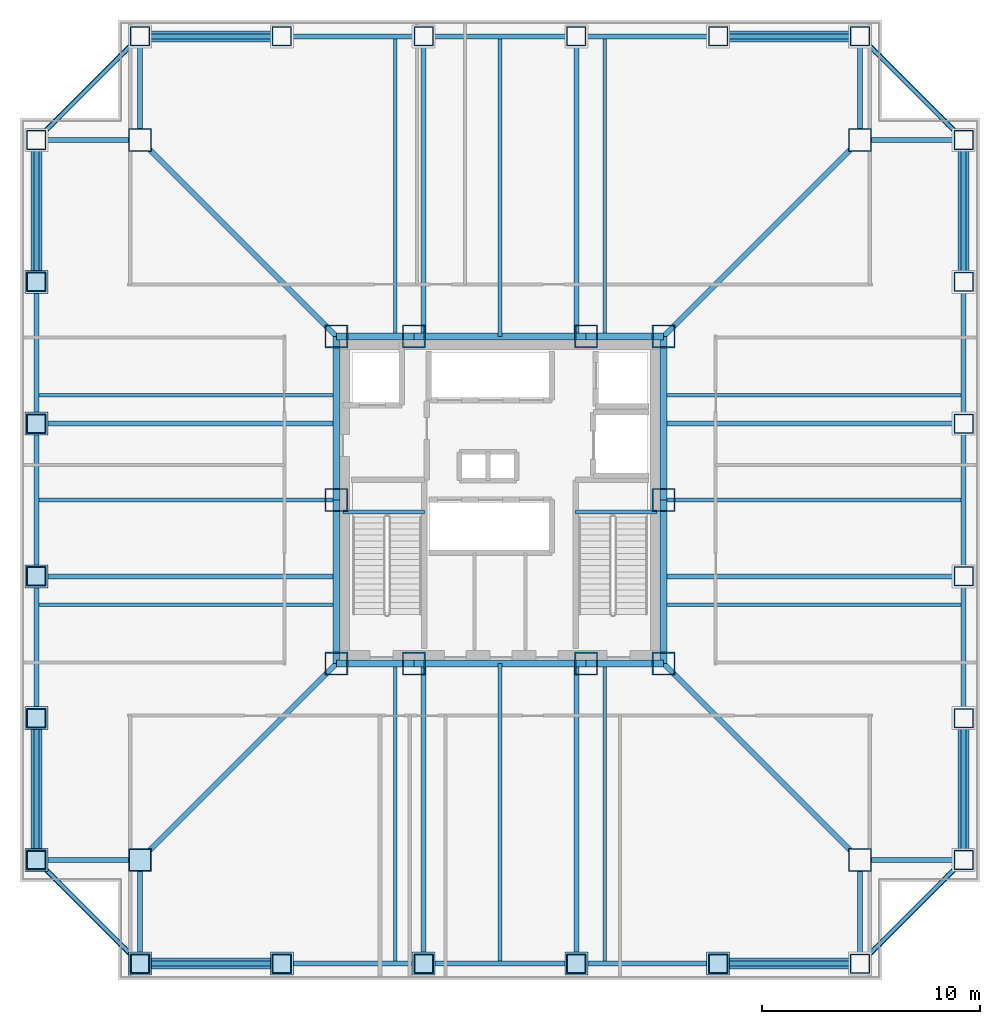
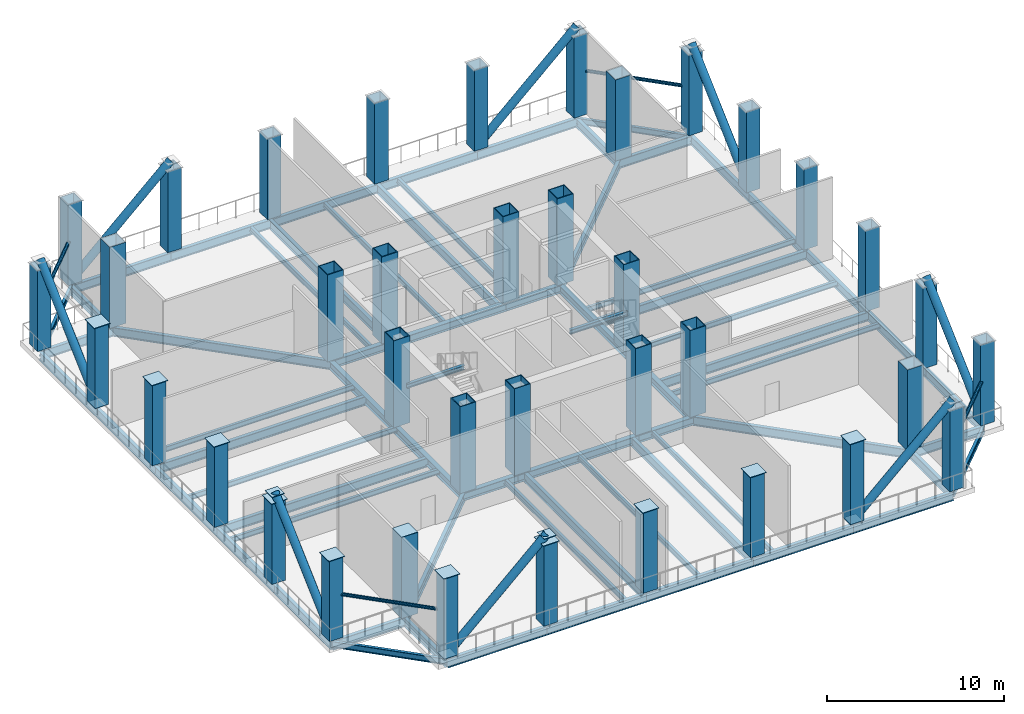
# One storey, part 1 of 7: 68 beams, 38 columns, 17 plates, 12 members.
"""IFC4 building model written with IfcOpenShell, lengths in metres."""

from ifc_helpers import new_model, si_unit, direction, frame, origin, origin_2d, place, context, subcontext, project, spatial, rectangle, hollow_rectangle, hollow_circle, i_section, extrude, material, layer, layer_set, material_profile, profile_set, type_object, element, save


model = new_model("IFC4")

# Units and contexts
model_context = context("Model", 3, precision=1e-05, world=origin(), true_north=direction((0.0, 1.0)))
body_context = subcontext(model_context, "Body", "Model", "MODEL_VIEW")
ifc_project = project(units=[si_unit("LENGTHUNIT", "METRE"), si_unit("AREAUNIT", "SQUARE_METRE"), si_unit("VOLUMEUNIT", "CUBIC_METRE"), si_unit("PLANEANGLEUNIT", "RADIAN"), si_unit("MASSUNIT", "GRAM", prefix="KILO")], contexts=[model_context])

# Site, building, storey
site_placement = place(None, origin())
site = spatial("IfcSite", under=ifc_project, at=site_placement, CompositionType="ELEMENT")
building_placement = place(site_placement, origin())
building = spatial("IfcBuilding", under=site, at=building_placement, Name="Trevonay Congress Spire", CompositionType="ELEMENT")
storey_placement = place(building_placement, frame((0.0, 0.0, 160.199951171875)))
storey = spatial("IfcBuildingStorey", under=building, at=storey_placement, Name="L41", CompositionType="ELEMENT", Elevation=160.199951171875)

# Columns
ifc_material_1 = material(Name="Steel ASTM A572 Grade 50", Category="steel")
ifc_material_profile_1 = material_profile(ifc_material_1, hollow_rectangle(XDim=1.050048828125, YDim=1.050048828125, WallThickness=0.050048828125, at=origin_2d()), Name="BOX 1050x1050x50")
ifc_profile_set_1 = profile_set([ifc_material_profile_1], Name="Steel ASTM A572 Grade 50")
column_type_1 = type_object("IfcColumnType", Name="COL-CORE-BOX1050", PredefinedType="COLUMN", material=ifc_profile_set_1)
for number, where, z_axis, x_axis, name in (
    (1, (-7.5, -7.5, 0.0), (0.0, 0.0, 1.0), (1.0, 0.0, 0.0), "L41 column C03 at CC-SW"),
    (2, (-3.949951171875, -7.5, 0.0), (0.0, 0.0, 1.0), (1.0, 0.0, 0.0), "L41 column C03 at CC-SMW"),
    (3, (3.949951171875, -7.5, 0.0), (0.0, 0.0, 1.0), (1.0, 0.0, 0.0), "L41 column C03 at CC-SME"),
    (4, (7.5, -7.5, 0.0), (0.0, 0.0, 1.0), (1.0, 0.0, 0.0), "L41 column C03 at CC-SE"),
    (5, (7.5, 0.0, 0.0), (0.0, 0.0, 1.0), (1.0, 0.0, 0.0), "L41 column C03 at CC-E"),
    (6, (7.5, 7.5, 0.0), (0.0, 0.0, 1.0), (1.0, 0.0, 0.0), "L41 column C03 at CC-NE"),
    (7, (3.949951171875, 7.5, 0.0), (0.0, 0.0, 1.0), (1.0, 0.0, 0.0), "L41 column C03 at CC-NME"),
    (8, (-3.949951171875, 7.5, 0.0), (0.0, 0.0, 1.0), (1.0, 0.0, 0.0), "L41 column C03 at CC-NMW"),
    (9, (-7.5, 7.5, 0.0), (0.0, 0.0, 1.0), (1.0, 0.0, 0.0), "L41 column C03 at CC-NW"),
    (10, (-7.5, 0.0, 0.0), (0.0, 0.0, 1.0), (1.0, 0.0, 0.0), "L41 column C03 at CC-W"),
):
    element("IfcColumn", number, at=place(storey_placement, frame(where, z_axis=z_axis, x_axis=x_axis)), inside=storey, type_object=column_type_1, Name=name, PredefinedType="COLUMN", context=body_context, shape_type="SweptSolid", body=[
        extrude(hollow_rectangle(XDim=1.050048828125, YDim=1.050048828125, WallThickness=0.050048828125, at=origin_2d()), origin(), (0.0, 0.0, 1.0), 6.0),
    ])
ifc_material_profile_2 = material_profile(ifc_material_1, hollow_rectangle(XDim=1.050048828125, YDim=1.050048828125, WallThickness=0.050048828125, at=origin_2d()), Name="BOX 1050x1050x50")
ifc_profile_set_2 = profile_set([ifc_material_profile_2], Name="Steel ASTM A572 Grade 50")
column_type_2 = type_object("IfcColumnType", Name="COL-TUBE-BOX1050", PredefinedType="COLUMN", material=ifc_profile_set_2)
for number, where, z_axis, x_axis, name in (
    (11, (-16.5, -16.5, 0.0), (0.0, 0.0, 1.0), (1.0, 0.0, 0.0), "L41 column C14 at NC-SW"),
    (12, (16.5, -16.5, 0.0), (0.0, 0.0, 1.0), (1.0, 0.0, 0.0), "L41 column C14 at NC-SE"),
    (13, (16.5, 16.5, 0.0), (0.0, 0.0, 1.0), (1.0, 0.0, 0.0), "L41 column C14 at NC-NE"),
    (14, (-16.5, 16.5, 0.0), (0.0, 0.0, 1.0), (1.0, 0.0, 0.0), "L41 column C14 at NC-NW"),
):
    element("IfcColumn", number, at=place(storey_placement, frame(where, z_axis=z_axis, x_axis=x_axis)), inside=storey, type_object=column_type_2, Name=name, PredefinedType="COLUMN", context=body_context, shape_type="SweptSolid", body=[
        extrude(hollow_rectangle(XDim=1.050048828125, YDim=1.050048828125, WallThickness=0.050048828125, at=origin_2d()), origin(), (0.0, 0.0, 1.0), 5.60009765625),
    ])
ifc_material_profile_3 = material_profile(ifc_material_1, hollow_rectangle(XDim=0.89990234375, YDim=0.89990234375, WallThickness=0.044921875, at=origin_2d()), Name="BOX 900x900x45")
ifc_profile_set_3 = profile_set([ifc_material_profile_3], Name="Steel ASTM A572 Grade 50")
column_type_3 = type_object("IfcColumnType", Name="COL-TUBE-BOX900", PredefinedType="COLUMN", material=ifc_profile_set_3)
for number, where, z_axis, x_axis, name in (
    (15, (-16.5, -21.25, 0.0), (0.0, 0.0, 1.0), (1.0, 0.0, 0.0), "L41 column C15 at TS-1"),
    (16, (-16.5, 21.25, 0.0), (0.0, 0.0, 1.0), (1.0, 0.0, 0.0), "L41 column C15 at TN-1"),
    (17, (-21.25, -16.5, 0.0), (0.0, 0.0, 1.0), (1.0, 0.0, 0.0), "L41 column C15 at TW-1"),
    (18, (21.25, -16.5, 0.0), (0.0, 0.0, 1.0), (1.0, 0.0, 0.0), "L41 column C15 at TE-1"),
    (19, (-10.0, -21.25, 0.0), (0.0, 0.0, 1.0), (1.0, 0.0, 0.0), "L41 column C15 at TS-2"),
    (20, (-10.0, 21.25, 0.0), (0.0, 0.0, 1.0), (1.0, 0.0, 0.0), "L41 column C15 at TN-2"),
    (21, (-21.25, -10.0, 0.0), (0.0, 0.0, 1.0), (1.0, 0.0, 0.0), "L41 column C15 at TW-2"),
    (22, (21.25, -10.0, 0.0), (0.0, 0.0, 1.0), (1.0, 0.0, 0.0), "L41 column C15 at TE-2"),
    (23, (-3.5, -21.25, 0.0), (0.0, 0.0, 1.0), (1.0, 0.0, 0.0), "L41 column C15 at TS-3"),
    (24, (-3.5, 21.25, 0.0), (0.0, 0.0, 1.0), (1.0, 0.0, 0.0), "L41 column C15 at TN-3"),
    (25, (-21.25, -3.5, 0.0), (0.0, 0.0, 1.0), (1.0, 0.0, 0.0), "L41 column C15 at TW-3"),
    (26, (21.25, -3.5, 0.0), (0.0, 0.0, 1.0), (1.0, 0.0, 0.0), "L41 column C15 at TE-3"),
    (27, (3.5, -21.25, 0.0), (0.0, 0.0, 1.0), (1.0, 0.0, 0.0), "L41 column C15 at TS-4"),
    (28, (3.5, 21.25, 0.0), (0.0, 0.0, 1.0), (1.0, 0.0, 0.0), "L41 column C15 at TN-4"),
    (29, (-21.25, 3.5, 0.0), (0.0, 0.0, 1.0), (1.0, 0.0, 0.0), "L41 column C15 at TW-4"),
    (30, (21.25, 3.5, 0.0), (0.0, 0.0, 1.0), (1.0, 0.0, 0.0), "L41 column C15 at TE-4"),
    (31, (10.0, -21.25, 0.0), (0.0, 0.0, 1.0), (1.0, 0.0, 0.0), "L41 column C15 at TS-5"),
    (32, (10.0, 21.25, 0.0), (0.0, 0.0, 1.0), (1.0, 0.0, 0.0), "L41 column C15 at TN-5"),
    (33, (-21.25, 10.0, 0.0), (0.0, 0.0, 1.0), (1.0, 0.0, 0.0), "L41 column C15 at TW-5"),
    (34, (21.25, 10.0, 0.0), (0.0, 0.0, 1.0), (1.0, 0.0, 0.0), "L41 column C15 at TE-5"),
    (35, (16.5, -21.25, 0.0), (0.0, 0.0, 1.0), (1.0, 0.0, 0.0), "L41 column C15 at TS-6"),
    (36, (16.5, 21.25, 0.0), (0.0, 0.0, 1.0), (1.0, 0.0, 0.0), "L41 column C15 at TN-6"),
    (37, (-21.25, 16.5, 0.0), (0.0, 0.0, 1.0), (1.0, 0.0, 0.0), "L41 column C15 at TW-6"),
    (38, (21.25, 16.5, 0.0), (0.0, 0.0, 1.0), (1.0, 0.0, 0.0), "L41 column C15 at TE-6"),
):
    element("IfcColumn", number, at=place(storey_placement, frame(where, z_axis=z_axis, x_axis=x_axis)), inside=storey, type_object=column_type_3, Name=name, PredefinedType="COLUMN", context=body_context, shape_type="SweptSolid", body=[
        extrude(hollow_rectangle(XDim=0.89990234375, YDim=0.89990234375, WallThickness=0.044921875, at=origin_2d()), origin(), (0.0, 0.0, 1.0), 5.60009765625),
    ])

# Beams
ifc_material_profile_4 = material_profile(ifc_material_1, i_section(OverallWidth=0.31201171875, OverallDepth=0.54296875, WebThickness=0.0126953125, FlangeThickness=0.020263671875, FilletRadius=0.014892578125, at=origin_2d()), Name="W530x150")
ifc_profile_set_4 = profile_set([ifc_material_profile_4], Name="Steel ASTM A572 Grade 50")
beam_type_1 = type_object("IfcBeamType", Name="BM-GIRD-W530X150", PredefinedType="BEAM", material=ifc_profile_set_4)
beam_1_placement = place(storey_placement, frame((-7.5, -7.5, -0.621337890625), z_axis=(1.0, 0.0, 0.0), x_axis=(0.0, 1.0, 0.0)))
element("IfcBeam", 39, at=beam_1_placement, inside=storey, type_object=beam_type_1, Name="L41 structural beam BM-L41-CR-S1", PredefinedType="BEAM", context=body_context, shape_type="SweptSolid", body=[
    extrude(i_section(OverallWidth=0.31201171875, OverallDepth=0.54296875, WebThickness=0.0126953125, FlangeThickness=0.020263671875, FilletRadius=0.014892578125, at=origin_2d()), origin(), (0.0, 0.0, 1.0), 3.550048828125),
])
beam_2_placement = place(storey_placement, frame((-3.949951171875, -7.5, -0.621337890625), z_axis=(1.0, 0.0, 0.0), x_axis=(0.0, 1.0, 0.0)))
element("IfcBeam", 40, at=beam_2_placement, inside=storey, type_object=beam_type_1, Name="L41 structural beam BM-L41-CR-S2", PredefinedType="BEAM", context=body_context, shape_type="SweptSolid", body=[
    extrude(i_section(OverallWidth=0.31201171875, OverallDepth=0.54296875, WebThickness=0.0126953125, FlangeThickness=0.020263671875, FilletRadius=0.014892578125, at=origin_2d()), origin(), (0.0, 0.0, 1.0), 7.89990234375),
])
for number, where, z_axis, x_axis, name in (
    (41, (3.949951171875, -7.5, -0.621337890625), (1.0, 0.0, 0.0), (0.0, 1.0, 0.0), "L41 structural beam BM-L41-CR-S3"),
    (42, (-7.5, 7.5, -0.621337890625), (1.0, 0.0, 0.0), (0.0, 1.0, 0.0), "L41 structural beam BM-L41-CR-N1"),
):
    element("IfcBeam", number, at=place(storey_placement, frame(where, z_axis=z_axis, x_axis=x_axis)), inside=storey, type_object=beam_type_1, Name=name, PredefinedType="BEAM", context=body_context, shape_type="SweptSolid", body=[
        extrude(i_section(OverallWidth=0.31201171875, OverallDepth=0.54296875, WebThickness=0.0126953125, FlangeThickness=0.020263671875, FilletRadius=0.014892578125, at=origin_2d()), origin(), (0.0, 0.0, 1.0), 3.550048828125),
    ])
beam_3_placement = place(storey_placement, frame((-3.949951171875, 7.5, -0.621337890625), z_axis=(1.0, 0.0, 0.0), x_axis=(0.0, 1.0, 0.0)))
element("IfcBeam", 43, at=beam_3_placement, inside=storey, type_object=beam_type_1, Name="L41 structural beam BM-L41-CR-N2", PredefinedType="BEAM", context=body_context, shape_type="SweptSolid", body=[
    extrude(i_section(OverallWidth=0.31201171875, OverallDepth=0.54296875, WebThickness=0.0126953125, FlangeThickness=0.020263671875, FilletRadius=0.014892578125, at=origin_2d()), origin(), (0.0, 0.0, 1.0), 7.89990234375),
])
beam_4_placement = place(storey_placement, frame((3.949951171875, 7.5, -0.621337890625), z_axis=(1.0, 0.0, 0.0), x_axis=(0.0, 1.0, 0.0)))
element("IfcBeam", 44, at=beam_4_placement, inside=storey, type_object=beam_type_1, Name="L41 structural beam BM-L41-CR-N3", PredefinedType="BEAM", context=body_context, shape_type="SweptSolid", body=[
    extrude(i_section(OverallWidth=0.31201171875, OverallDepth=0.54296875, WebThickness=0.0126953125, FlangeThickness=0.020263671875, FilletRadius=0.014892578125, at=origin_2d()), origin(), (0.0, 0.0, 1.0), 3.550048828125),
])
for number, where, z_axis, x_axis, name in (
    (45, (-7.5, -7.5, -0.621337890625), (0.0, 1.0, 0.0), (-1.0, 0.0, 0.0), "L41 structural beam BM-L41-CR-W1"),
    (46, (-7.5, 0.0, -0.621337890625), (0.0, 1.0, 0.0), (-1.0, 0.0, 0.0), "L41 structural beam BM-L41-CR-W2"),
    (47, (7.5, -7.5, -0.621337890625), (0.0, 1.0, 0.0), (-1.0, 0.0, 0.0), "L41 structural beam BM-L41-CR-E1"),
    (48, (7.5, 0.0, -0.621337890625), (0.0, 1.0, 0.0), (-1.0, 0.0, 0.0), "L41 structural beam BM-L41-CR-E2"),
):
    element("IfcBeam", number, at=place(storey_placement, frame(where, z_axis=z_axis, x_axis=x_axis)), inside=storey, type_object=beam_type_1, Name=name, PredefinedType="BEAM", context=body_context, shape_type="SweptSolid", body=[
        extrude(i_section(OverallWidth=0.31201171875, OverallDepth=0.54296875, WebThickness=0.0126953125, FlangeThickness=0.020263671875, FilletRadius=0.014892578125, at=origin_2d()), origin(), (0.0, 0.0, 1.0), 7.5),
    ])
ifc_material_profile_5 = material_profile(ifc_material_1, i_section(OverallWidth=0.22998046875, OverallDepth=0.616943359375, WebThickness=0.01318359375, FlangeThickness=0.022216796875, FilletRadius=0.01611328125, at=origin_2d()), Name="W610x140")
ifc_profile_set_5 = profile_set([ifc_material_profile_5], Name="Steel ASTM A572 Grade 50")
beam_type_2 = type_object("IfcBeamType", Name="BM-GIRD-W610X140", PredefinedType="BEAM", material=ifc_profile_set_5)
for number, where, z_axis, x_axis, name in (
    (49, (-7.5, -7.5, -0.658447265625), (-0.707106781187, -0.707106781187, 0.0), (0.707106781187, -0.707106781187, 0.0), "L41 structural beam BM-L41-CDSW"),
    (50, (7.5, -7.5, -0.658447265625), (0.707106781187, -0.707106781187, 0.0), (0.707106781187, 0.707106781187, 0.0), "L41 structural beam BM-L41-CDSE"),
    (51, (7.5, 7.5, -0.658447265625), (0.707106781187, 0.707106781187, 0.0), (-0.707106781187, 0.707106781187, 0.0), "L41 structural beam BM-L41-CDNE"),
    (52, (-7.5, 7.5, -0.658447265625), (-0.707106781187, 0.707106781187, 0.0), (-0.707106781187, -0.707106781187, 0.0), "L41 structural beam BM-L41-CDNW"),
):
    element("IfcBeam", number, at=place(storey_placement, frame(where, z_axis=z_axis, x_axis=x_axis)), inside=storey, type_object=beam_type_2, Name=name, PredefinedType="BEAM", context=body_context, shape_type="SweptSolid", body=[
        extrude(i_section(OverallWidth=0.22998046875, OverallDepth=0.616943359375, WebThickness=0.01318359375, FlangeThickness=0.022216796875, FilletRadius=0.01611328125, at=origin_2d()), origin(), (0.0, 0.0, 1.0), 12.72802734375),
    ])
for number, where, z_axis, x_axis, name in (
    (53, (-3.5, -7.5, -0.658447265625), (0.0, -1.0, 0.0), (1.0, 0.0, 0.0), "L41 structural beam BM-L41-GS-M"),
    (54, (-3.5, 7.5, -0.658447265625), (0.0, 1.0, 0.0), (-1.0, 0.0, 0.0), "L41 structural beam BM-L41-GN-M"),
    (55, (-7.5, -3.5, -0.658447265625), (-1.0, 0.0, 0.0), (0.0, -1.0, 0.0), "L41 structural beam BM-L41-GW-M"),
    (56, (7.5, -3.5, -0.658447265625), (1.0, 0.0, 0.0), (0.0, 1.0, 0.0), "L41 structural beam BM-L41-GE-M"),
    (57, (3.5, -7.5, -0.658447265625), (0.0, -1.0, 0.0), (1.0, 0.0, 0.0), "L41 structural beam BM-L41-GS-P"),
    (58, (3.5, 7.5, -0.658447265625), (0.0, 1.0, 0.0), (-1.0, 0.0, 0.0), "L41 structural beam BM-L41-GN-P"),
    (59, (-7.5, 3.5, -0.658447265625), (-1.0, 0.0, 0.0), (0.0, -1.0, 0.0), "L41 structural beam BM-L41-GW-P"),
    (60, (7.5, 3.5, -0.658447265625), (1.0, 0.0, 0.0), (0.0, 1.0, 0.0), "L41 structural beam BM-L41-GE-P"),
):
    element("IfcBeam", number, at=place(storey_placement, frame(where, z_axis=z_axis, x_axis=x_axis)), inside=storey, type_object=beam_type_2, Name=name, PredefinedType="BEAM", context=body_context, shape_type="SweptSolid", body=[
        extrude(i_section(OverallWidth=0.22998046875, OverallDepth=0.616943359375, WebThickness=0.01318359375, FlangeThickness=0.022216796875, FilletRadius=0.01611328125, at=origin_2d()), origin(), (0.0, 0.0, 1.0), 13.75),
    ])
ifc_material_profile_6 = material_profile(ifc_material_1, i_section(OverallWidth=0.22802734375, OverallDepth=0.60791015625, WebThickness=0.01123046875, FlangeThickness=0.017333984375, FilletRadius=0.01611328125, at=origin_2d()), Name="W610x113")
ifc_profile_set_6 = profile_set([ifc_material_profile_6], Name="Steel ASTM A572 Grade 50")
beam_type_3 = type_object("IfcBeamType", Name="BM-RING-W610X113", PredefinedType="BEAM", material=ifc_profile_set_6)
for number, where, z_axis, x_axis, name in (
    (61, (-16.5, -21.25, -0.654052734375), (1.0, 0.0, 0.0), (0.0, 1.0, 0.0), "L41 structural beam BM-L41-PS1"),
    (62, (-16.5, 21.25, -0.654052734375), (1.0, 0.0, 0.0), (0.0, 1.0, 0.0), "L41 structural beam BM-L41-PN1"),
    (63, (-21.25, -16.5, -0.654052734375), (0.0, 1.0, 0.0), (-1.0, 0.0, 0.0), "L41 structural beam BM-L41-PW1"),
    (64, (21.25, -16.5, -0.654052734375), (0.0, 1.0, 0.0), (-1.0, 0.0, 0.0), "L41 structural beam BM-L41-PE1"),
    (65, (-10.0, -21.25, -0.654052734375), (1.0, 0.0, 0.0), (0.0, 1.0, 0.0), "L41 structural beam BM-L41-PS2"),
    (66, (-10.0, 21.25, -0.654052734375), (1.0, 0.0, 0.0), (0.0, 1.0, 0.0), "L41 structural beam BM-L41-PN2"),
    (67, (-21.25, -10.0, -0.654052734375), (0.0, 1.0, 0.0), (-1.0, 0.0, 0.0), "L41 structural beam BM-L41-PW2"),
    (68, (21.25, -10.0, -0.654052734375), (0.0, 1.0, 0.0), (-1.0, 0.0, 0.0), "L41 structural beam BM-L41-PE2"),
):
    element("IfcBeam", number, at=place(storey_placement, frame(where, z_axis=z_axis, x_axis=x_axis)), inside=storey, type_object=beam_type_3, Name=name, PredefinedType="BEAM", context=body_context, shape_type="SweptSolid", body=[
        extrude(i_section(OverallWidth=0.22802734375, OverallDepth=0.60791015625, WebThickness=0.01123046875, FlangeThickness=0.017333984375, FilletRadius=0.01611328125, at=origin_2d()), origin(), (0.0, 0.0, 1.0), 6.5),
    ])
for number, where, z_axis, x_axis, name in (
    (69, (-3.5, -21.25, -0.654052734375), (1.0, 0.0, 0.0), (0.0, 1.0, 0.0), "L41 structural beam BM-L41-PS3"),
    (70, (-3.5, 21.25, -0.654052734375), (1.0, 0.0, 0.0), (0.0, 1.0, 0.0), "L41 structural beam BM-L41-PN3"),
    (71, (-21.25, -3.5, -0.654052734375), (0.0, 1.0, 0.0), (-1.0, 0.0, 0.0), "L41 structural beam BM-L41-PW3"),
    (72, (21.25, -3.5, -0.654052734375), (0.0, 1.0, 0.0), (-1.0, 0.0, 0.0), "L41 structural beam BM-L41-PE3"),
):
    element("IfcBeam", number, at=place(storey_placement, frame(where, z_axis=z_axis, x_axis=x_axis)), inside=storey, type_object=beam_type_3, Name=name, PredefinedType="BEAM", context=body_context, shape_type="SweptSolid", body=[
        extrude(i_section(OverallWidth=0.22802734375, OverallDepth=0.60791015625, WebThickness=0.01123046875, FlangeThickness=0.017333984375, FilletRadius=0.01611328125, at=origin_2d()), origin(), (0.0, 0.0, 1.0), 7.0),
    ])
for number, where, z_axis, x_axis, name in (
    (73, (3.5, -21.25, -0.654052734375), (1.0, 0.0, 0.0), (0.0, 1.0, 0.0), "L41 structural beam BM-L41-PS4"),
    (74, (3.5, 21.25, -0.654052734375), (1.0, 0.0, 0.0), (0.0, 1.0, 0.0), "L41 structural beam BM-L41-PN4"),
    (75, (-21.25, 3.5, -0.654052734375), (0.0, 1.0, 0.0), (-1.0, 0.0, 0.0), "L41 structural beam BM-L41-PW4"),
    (76, (21.25, 3.5, -0.654052734375), (0.0, 1.0, 0.0), (-1.0, 0.0, 0.0), "L41 structural beam BM-L41-PE4"),
    (77, (10.0, -21.25, -0.654052734375), (1.0, 0.0, 0.0), (0.0, 1.0, 0.0), "L41 structural beam BM-L41-PS5"),
    (78, (10.0, 21.25, -0.654052734375), (1.0, 0.0, 0.0), (0.0, 1.0, 0.0), "L41 structural beam BM-L41-PN5"),
    (79, (-21.25, 10.0, -0.654052734375), (0.0, 1.0, 0.0), (-1.0, 0.0, 0.0), "L41 structural beam BM-L41-PW5"),
    (80, (21.25, 10.0, -0.654052734375), (0.0, 1.0, 0.0), (-1.0, 0.0, 0.0), "L41 structural beam BM-L41-PE5"),
):
    element("IfcBeam", number, at=place(storey_placement, frame(where, z_axis=z_axis, x_axis=x_axis)), inside=storey, type_object=beam_type_3, Name=name, PredefinedType="BEAM", context=body_context, shape_type="SweptSolid", body=[
        extrude(i_section(OverallWidth=0.22802734375, OverallDepth=0.60791015625, WebThickness=0.01123046875, FlangeThickness=0.017333984375, FilletRadius=0.01611328125, at=origin_2d()), origin(), (0.0, 0.0, 1.0), 6.5),
    ])
for number, where, z_axis, x_axis, name in (
    (81, (-16.5, -21.25, -0.654052734375), (0.0, 1.0, 0.0), (-1.0, 0.0, 0.0), "L41 structural beam BM-L41-N1SW"),
    (82, (-21.25, -16.5, -0.654052734375), (1.0, 0.0, 0.0), (0.0, 1.0, 0.0), "L41 structural beam BM-L41-N2SW"),
    (83, (16.5, -21.25, -0.654052734375), (0.0, 1.0, 0.0), (-1.0, 0.0, 0.0), "L41 structural beam BM-L41-N1SE"),
    (84, (21.25, -16.5, -0.654052734375), (-1.0, 0.0, 0.0), (0.0, -1.0, 0.0), "L41 structural beam BM-L41-N2SE"),
    (85, (16.5, 21.25, -0.654052734375), (0.0, -1.0, 0.0), (1.0, 0.0, 0.0), "L41 structural beam BM-L41-N1NE"),
    (86, (21.25, 16.5, -0.654052734375), (-1.0, 0.0, 0.0), (0.0, -1.0, 0.0), "L41 structural beam BM-L41-N2NE"),
    (87, (-16.5, 21.25, -0.654052734375), (0.0, -1.0, 0.0), (1.0, 0.0, 0.0), "L41 structural beam BM-L41-N1NW"),
    (88, (-21.25, 16.5, -0.654052734375), (1.0, 0.0, 0.0), (0.0, 1.0, 0.0), "L41 structural beam BM-L41-N2NW"),
):
    element("IfcBeam", number, at=place(storey_placement, frame(where, z_axis=z_axis, x_axis=x_axis)), inside=storey, type_object=beam_type_3, Name=name, PredefinedType="BEAM", context=body_context, shape_type="SweptSolid", body=[
        extrude(i_section(OverallWidth=0.22802734375, OverallDepth=0.60791015625, WebThickness=0.01123046875, FlangeThickness=0.017333984375, FilletRadius=0.01611328125, at=origin_2d()), origin(), (0.0, 0.0, 1.0), 4.75),
    ])
ifc_material_profile_7 = material_profile(ifc_material_1, i_section(OverallWidth=0.172119140625, OverallDepth=0.35791015625, WebThickness=0.0078125, FlangeThickness=0.01318359375, FilletRadius=0.011962890625, at=origin_2d()), Name="W360x57.8")
ifc_profile_set_7 = profile_set([ifc_material_profile_7], Name="Steel ASTM A572 Grade 50")
beam_type_4 = type_object("IfcBeamType", Name="JS-COMP-W360X57", PredefinedType="JOIST", material=ifc_profile_set_7)
for number, where, z_axis, x_axis, name in (
    (89, (-4.800048828125, -21.25, -0.529052734375), (0.0, 1.0, 0.0), (-1.0, 0.0, 0.0), "L41 structural beam JS-L41-NS-S1"),
    (90, (-4.800048828125, 7.5, -0.529052734375), (0.0, 1.0, 0.0), (-1.0, 0.0, 0.0), "L41 structural beam JS-L41-NS-N1"),
    (91, (-21.25, -4.800048828125, -0.529052734375), (1.0, 0.0, 0.0), (0.0, 1.0, 0.0), "L41 structural beam JS-L41-EW-W1"),
    (92, (7.5, -4.800048828125, -0.529052734375), (1.0, 0.0, 0.0), (0.0, 1.0, 0.0), "L41 structural beam JS-L41-EW-E1"),
    (93, (0.0, -21.25, -0.529052734375), (0.0, 1.0, 0.0), (-1.0, 0.0, 0.0), "L41 structural beam JS-L41-NS-S2"),
    (94, (0.0, 7.5, -0.529052734375), (0.0, 1.0, 0.0), (-1.0, 0.0, 0.0), "L41 structural beam JS-L41-NS-N2"),
    (95, (-21.25, 0.0, -0.529052734375), (1.0, 0.0, 0.0), (0.0, 1.0, 0.0), "L41 structural beam JS-L41-EW-W2"),
    (96, (7.5, 0.0, -0.529052734375), (1.0, 0.0, 0.0), (0.0, 1.0, 0.0), "L41 structural beam JS-L41-EW-E2"),
    (97, (4.800048828125, -21.25, -0.529052734375), (0.0, 1.0, 0.0), (-1.0, 0.0, 0.0), "L41 structural beam JS-L41-NS-S3"),
    (98, (4.800048828125, 7.5, -0.529052734375), (0.0, 1.0, 0.0), (-1.0, 0.0, 0.0), "L41 structural beam JS-L41-NS-N3"),
    (99, (-21.25, 4.800048828125, -0.529052734375), (1.0, 0.0, 0.0), (0.0, 1.0, 0.0), "L41 structural beam JS-L41-EW-W3"),
    (100, (7.5, 4.800048828125, -0.529052734375), (1.0, 0.0, 0.0), (0.0, 1.0, 0.0), "L41 structural beam JS-L41-EW-E3"),
):
    element("IfcBeam", number, at=place(storey_placement, frame(where, z_axis=z_axis, x_axis=x_axis)), inside=storey, type_object=beam_type_4, Name=name, PredefinedType="JOIST", context=body_context, shape_type="SweptSolid", body=[
        extrude(i_section(OverallWidth=0.172119140625, OverallDepth=0.35791015625, WebThickness=0.0078125, FlangeThickness=0.01318359375, FilletRadius=0.011962890625, at=origin_2d()), origin(), (0.0, 0.0, 1.0), 13.75),
    ])
ifc_material_profile_8 = material_profile(ifc_material_1, i_section(OverallWidth=0.2041015625, OverallDepth=0.305908203125, WebThickness=0.008544921875, FlangeThickness=0.0146484375, FilletRadius=0.010986328125, at=origin_2d()), Name="W310x67")
ifc_profile_set_8 = profile_set([ifc_material_profile_8], Name="Steel ASTM A572 Grade 50")
beam_type_5 = type_object("IfcBeamType", Name="LN-CORE-W310X67", PredefinedType="LINTEL", material=ifc_profile_set_8)
for number, where, z_axis, x_axis, name in (
    (101, (-7.199951171875, -0.550048828125, 2.64697265625), (1.0, 0.0, 0.0), (0.0, 1.0, 0.0), "L41 structural beam BM-L41-HL-ST1"),
    (102, (3.449951171875, -0.550048828125, 2.64697265625), (1.0, 0.0, 0.0), (0.0, 1.0, 0.0), "L41 structural beam BM-L41-HL-ST2"),
):
    element("IfcBeam", number, at=place(storey_placement, frame(where, z_axis=z_axis, x_axis=x_axis)), inside=storey, type_object=beam_type_5, Name=name, PredefinedType="LINTEL", context=body_context, shape_type="SweptSolid", body=[
        extrude(i_section(OverallWidth=0.2041015625, OverallDepth=0.305908203125, WebThickness=0.008544921875, FlangeThickness=0.0146484375, FilletRadius=0.010986328125, at=origin_2d()), origin(), (0.0, 0.0, 1.0), 3.75),
    ])

# Members
ifc_material_profile_9 = material_profile(ifc_material_1, hollow_circle(Radius=0.25390625, WallThickness=0.02490234375, at=origin_2d()), Name="CHS 508x25")
ifc_profile_set_9 = profile_set([ifc_material_profile_9], Name="Steel ASTM A572 Grade 50")
member_type_1 = type_object("IfcMemberType", Name="MBR-PORTAL-CHS508", PredefinedType="STRUT", material=ifc_profile_set_9)
for number, where, z_axis, x_axis, name in (
    (103, (-16.5, -21.25, -0.0400390625), (0.734803444627, 0.0, 0.678280102733), (0.0, 1.0, 0.0), "L41 wind portal diagonal strut S0"),
    (104, (10.0, -21.25, -0.0400390625), (0.734803444627, 0.0, 0.678280102733), (0.0, 1.0, 0.0), "L41 wind portal diagonal strut S4"),
    (105, (-16.5, 21.25, -0.0400390625), (0.734803444627, 0.0, 0.678280102733), (0.0, 1.0, 0.0), "L41 wind portal diagonal strut N0"),
    (106, (10.0, 21.25, -0.0400390625), (0.734803444627, 0.0, 0.678280102733), (0.0, 1.0, 0.0), "L41 wind portal diagonal strut N4"),
    (107, (-21.25, -16.5, -0.0400390625), (0.0, 0.734803444627, 0.678280102733), (-1.0, 0.0, 0.0), "L41 wind portal diagonal strut W0"),
    (108, (-21.25, 10.0, -0.0400390625), (0.0, 0.734803444627, 0.678280102733), (-1.0, 0.0, 0.0), "L41 wind portal diagonal strut W4"),
    (109, (21.25, -16.5, -0.0400390625), (0.0, 0.734803444627, 0.678280102733), (-1.0, 0.0, 0.0), "L41 wind portal diagonal strut E0"),
    (110, (21.25, 10.0, -0.0400390625), (0.0, 0.734803444627, 0.678280102733), (-1.0, 0.0, 0.0), "L41 wind portal diagonal strut E4"),
):
    element("IfcMember", number, at=place(storey_placement, frame(where, z_axis=z_axis, x_axis=x_axis)), inside=storey, type_object=member_type_1, Name=name, PredefinedType="STRUT", context=body_context, shape_type="SweptSolid", body=[
        extrude(hollow_circle(Radius=0.25390625, WallThickness=0.02490234375, at=origin_2d()), origin(), (0.0, 0.0, 1.0), 8.845947265625),
    ])
ifc_material_2 = material(Name="Steel ASTM A500 Grade C", Category="steel")
ifc_material_profile_10 = material_profile(ifc_material_2, hollow_circle(Radius=0.109619140625, WallThickness=0.012451171875, at=origin_2d()), Name="CHS 219.1x12.5")
ifc_profile_set_10 = profile_set([ifc_material_profile_10], Name="Steel ASTM A500 Grade C")
member_type_2 = type_object("IfcMemberType", Name="MBR-TIE-CHS219", PredefinedType="STRUT", material=ifc_profile_set_10)
for number, where, z_axis, x_axis, name in (
    (111, (-16.5, -21.25, 2.9599609375), (-0.707106781187, 0.707106781187, 0.0), (-0.707106781187, -0.707106781187, 0.0), "L41 wind portal corner tie strut SW"),
    (112, (16.5, -21.25, 2.9599609375), (0.707106781187, 0.707106781187, 0.0), (-0.707106781187, 0.707106781187, 0.0), "L41 wind portal corner tie strut SE"),
    (113, (16.5, 21.25, 2.9599609375), (0.707106781187, -0.707106781187, 0.0), (0.707106781187, 0.707106781187, 0.0), "L41 wind portal corner tie strut NE"),
    (114, (-16.5, 21.25, 2.9599609375), (-0.707106781187, -0.707106781187, 0.0), (0.707106781187, -0.707106781187, 0.0), "L41 wind portal corner tie strut NW"),
):
    element("IfcMember", number, at=place(storey_placement, frame(where, z_axis=z_axis, x_axis=x_axis)), inside=storey, type_object=member_type_2, Name=name, PredefinedType="STRUT", context=body_context, shape_type="SweptSolid", body=[
        extrude(hollow_circle(Radius=0.109619140625, WallThickness=0.012451171875, at=origin_2d()), origin(), (0.0, 0.0, 1.0), 6.717529296875),
    ])

# Beams
ifc_material_profile_11 = material_profile(ifc_material_1, i_section(OverallWidth=0.180908203125, OverallDepth=0.4169921875, WebThickness=0.010986328125, FlangeThickness=0.018310546875, FilletRadius=0.012939453125, at=origin_2d()), Name="W410x85")
ifc_profile_set_11 = profile_set([ifc_material_profile_11], Name="Steel ASTM A572 Grade 50")
beam_type_6 = type_object("IfcBeamType", Name="SPB-HSS400", PredefinedType="SPANDREL", material=ifc_profile_set_11)
for number, where, z_axis, x_axis, name in (
    (115, (-16.5, -21.25, -0.558349609375), (-0.707106781187, 0.707106781187, 0.0), (-0.707106781187, -0.707106781187, 0.0), "L41 structural beam SPB-L41-SW"),
    (116, (16.5, -21.25, -0.558349609375), (0.707106781187, 0.707106781187, 0.0), (-0.707106781187, 0.707106781187, 0.0), "L41 structural beam SPB-L41-SE"),
    (117, (16.5, 21.25, -0.558349609375), (0.707106781187, -0.707106781187, 0.0), (0.707106781187, 0.707106781187, 0.0), "L41 structural beam SPB-L41-NE"),
    (118, (-16.5, 21.25, -0.558349609375), (-0.707106781187, -0.707106781187, 0.0), (0.707106781187, -0.707106781187, 0.0), "L41 structural beam SPB-L41-NW"),
):
    element("IfcBeam", number, at=place(storey_placement, frame(where, z_axis=z_axis, x_axis=x_axis)), inside=storey, type_object=beam_type_6, Name=name, PredefinedType="SPANDREL", context=body_context, shape_type="SweptSolid", body=[
        extrude(i_section(OverallWidth=0.180908203125, OverallDepth=0.4169921875, WebThickness=0.010986328125, FlangeThickness=0.018310546875, FilletRadius=0.012939453125, at=origin_2d()), origin(), (0.0, 0.0, 1.0), 6.717529296875),
    ])

# Plates
ifc_layer_1 = layer(ifc_material_1, 0.034912109375, Name="Steel ASTM A572 Grade 50")
ifc_layer_set_1 = layer_set([ifc_layer_1], Name="Steel ASTM A572 Grade 50")
plate_type_1 = type_object("IfcPlateType", Name="PLT-ENDCAP-EXT-105", PredefinedType="USERDEFINED", material=ifc_layer_set_1)
for number, where, z_axis, x_axis, name in (
    (119, (-16.5, -21.25, 5.58251953125), (0.0, 0.0, 1.0), (1.0, 0.0, 0.0), "L41 hollow column end-cap plate at TS-1"),
    (120, (-21.25, -16.5, 5.58251953125), (0.0, 0.0, 1.0), (1.0, 0.0, 0.0), "L41 hollow column end-cap plate at TW-1"),
    (121, (-10.0, -21.25, 5.58251953125), (0.0, 0.0, 1.0), (1.0, 0.0, 0.0), "L41 hollow column end-cap plate at TS-2"),
    (122, (-21.25, -10.0, 5.58251953125), (0.0, 0.0, 1.0), (1.0, 0.0, 0.0), "L41 hollow column end-cap plate at TW-2"),
    (123, (-3.5, -21.25, 5.58251953125), (0.0, 0.0, 1.0), (1.0, 0.0, 0.0), "L41 hollow column end-cap plate at TS-3"),
    (124, (-21.25, -3.5, 5.58251953125), (0.0, 0.0, 1.0), (1.0, 0.0, 0.0), "L41 hollow column end-cap plate at TW-3"),
    (125, (3.5, -21.25, 5.58251953125), (0.0, 0.0, 1.0), (1.0, 0.0, 0.0), "L41 hollow column end-cap plate at TS-4"),
    (126, (-21.25, 3.5, 5.58251953125), (0.0, 0.0, 1.0), (1.0, 0.0, 0.0), "L41 hollow column end-cap plate at TW-4"),
    (127, (10.0, -21.25, 5.58251953125), (0.0, 0.0, 1.0), (1.0, 0.0, 0.0), "L41 hollow column end-cap plate at TS-5"),
    (128, (-21.25, 10.0, 5.58251953125), (0.0, 0.0, 1.0), (1.0, 0.0, 0.0), "L41 hollow column end-cap plate at TW-5"),
    (129, (-16.5, -16.5, 5.58251953125), (0.0, 0.0, 1.0), (1.0, 0.0, 0.0), "L41 hollow column end-cap plate at NC-SW"),
):
    element("IfcPlate", number, at=place(storey_placement, frame(where, z_axis=z_axis, x_axis=x_axis)), inside=storey, type_object=plate_type_1, Name=name, ObjectType="CAP_PLATE", PredefinedType="USERDEFINED", context=body_context, shape_type="SweptSolid", body=[
        extrude(rectangle(XDim=1.050048828125, YDim=1.050048828125, at=origin_2d()), origin(), (0.0, 0.0, 1.0), 0.034912109375),
    ])
ifc_layer_2 = layer(ifc_material_1, 0.030029296875, Name="Steel ASTM A572 Grade 50")
ifc_layer_set_2 = layer_set([ifc_layer_2], Name="Steel ASTM A572 Grade 50")
plate_type_2 = type_object("IfcPlateType", Name="PLT-ENDCAP-EXT-80", PredefinedType="USERDEFINED", material=ifc_layer_set_2)
for number, where, z_axis, x_axis, name in (
    (130, (-16.5, -21.25, -0.05517578125), (0.0, 0.0, 1.0), (1.0, 0.0, 0.0), "L41 wind portal strut sealed end-cap plate S0-A"),
    (131, (-10.0, -21.25, 5.94482421875), (0.0, 0.0, 1.0), (1.0, 0.0, 0.0), "L41 wind portal strut sealed end-cap plate S0-B"),
    (132, (10.0, -21.25, -0.05517578125), (0.0, 0.0, 1.0), (1.0, 0.0, 0.0), "L41 wind portal strut sealed end-cap plate S4-A"),
    (133, (-21.25, -16.5, -0.05517578125), (0.0, 0.0, 1.0), (1.0, 0.0, 0.0), "L41 wind portal strut sealed end-cap plate W0-A"),
    (134, (-21.25, -10.0, 5.94482421875), (0.0, 0.0, 1.0), (1.0, 0.0, 0.0), "L41 wind portal strut sealed end-cap plate W0-B"),
    (135, (-21.25, 10.0, -0.05517578125), (0.0, 0.0, 1.0), (1.0, 0.0, 0.0), "L41 wind portal strut sealed end-cap plate W4-A"),
):
    element("IfcPlate", number, at=place(storey_placement, frame(where, z_axis=z_axis, x_axis=x_axis)), inside=storey, type_object=plate_type_2, Name=name, ObjectType="CAP_PLATE", PredefinedType="USERDEFINED", context=body_context, shape_type="SweptSolid", body=[
        extrude(rectangle(XDim=0.800048828125, YDim=0.800048828125, at=origin_2d()), origin(), (0.0, 0.0, 1.0), 0.030029296875),
    ])

save(model, "model.ifc")
